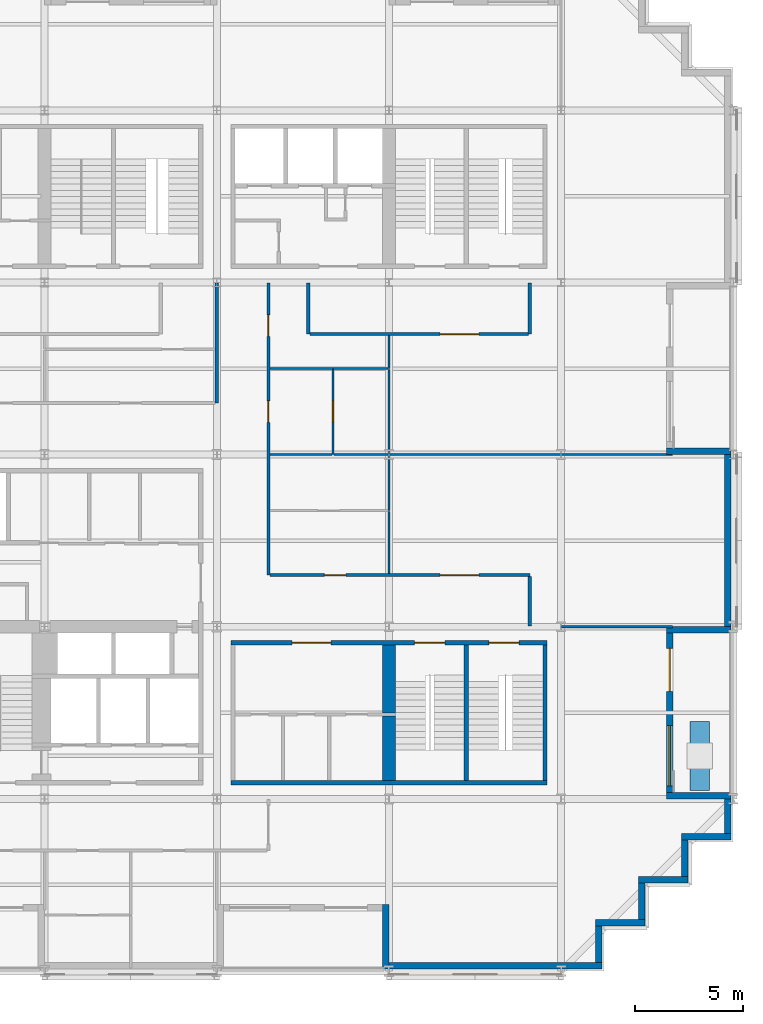
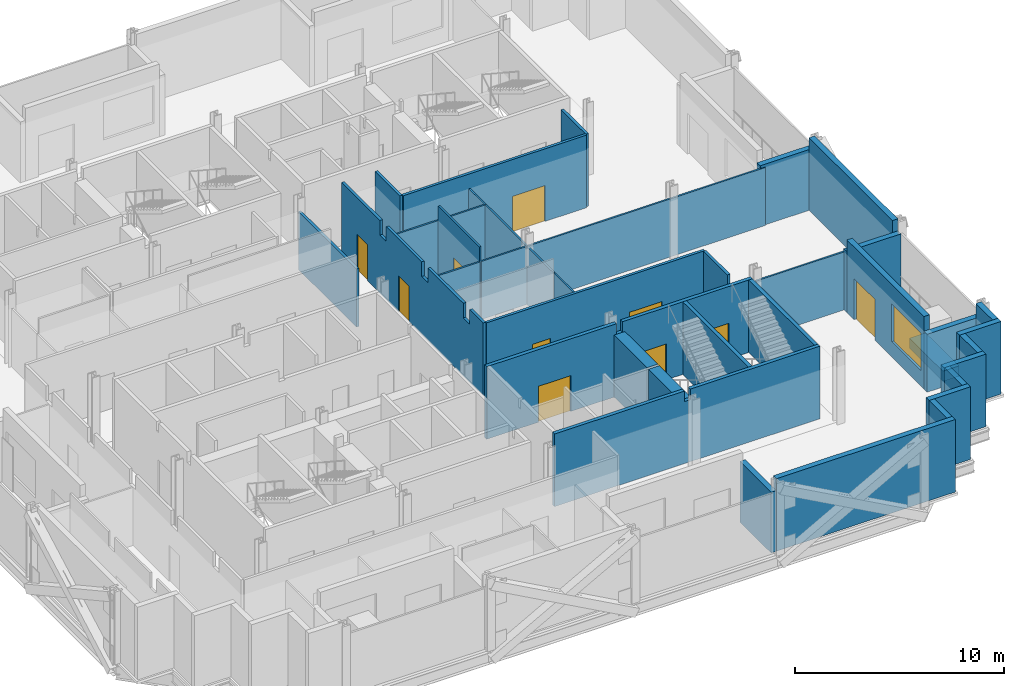
# One storey, part 7 of 13: 39 walls, 10 doors, 1 window, 11 openings.
"""IFC4 building model written with IfcOpenShell, lengths in metres."""

from ifc_helpers import new_model, si_unit, direction, frame, frame_2d, origin, place, context, subcontext, project, spatial, polyline, rectangle, outline, extrude, material, layer, layer_set, type_object, element, fill, save


model = new_model("IFC4")

# Units and contexts
model_context = context("Model", 3, precision=1e-05, world=origin(), true_north=direction((0.0, 1.0)))
body_context = subcontext(model_context, "Body", "Model", "MODEL_VIEW")
ifc_project = project(units=[si_unit("LENGTHUNIT", "METRE"), si_unit("AREAUNIT", "SQUARE_METRE"), si_unit("VOLUMEUNIT", "CUBIC_METRE"), si_unit("PLANEANGLEUNIT", "RADIAN"), si_unit("MASSUNIT", "GRAM", prefix="KILO")], contexts=[model_context])

# Site, building, storey
site_placement = place(None, origin())
site = spatial("IfcSite", under=ifc_project, at=site_placement, CompositionType="ELEMENT")
building_placement = place(site_placement, origin())
building = spatial("IfcBuilding", under=site, at=building_placement, Name="Immortelle Media Tower", CompositionType="ELEMENT")
storey_placement = place(building_placement, frame((0.0, 0.0, 34.800048828125)))
storey = spatial("IfcBuildingStorey", under=building, at=storey_placement, Name="L04", CompositionType="ELEMENT", Elevation=34.800048828125)

# Wall
ifc_material_1 = material(Name="Fire-rated gypsum board", Category="gypsum")
ifc_layer_1 = layer(ifc_material_1, 0.012451171875)
ifc_material_2 = material(Name="Steel ASTM A653 SS Gr 50 stud frame with mineral wool", Category="steel")
ifc_layer_2 = layer(ifc_material_2, 0.125)
ifc_layer_3 = layer(ifc_material_1, 0.012451171875)
ifc_layer_set_1 = layer_set([ifc_layer_1, ifc_layer_2, ifc_layer_3], Name="Steel ASTM A653 SS Gr 50 stud frame with mineral wool")
wall_type_1 = type_object("IfcWallType", Name="Corridor wall 150", PredefinedType="PARTITIONING", material=ifc_layer_set_1)
wall_1_placement = place(storey_placement, frame((38.550048828125, 16.030029296875, 0.0), z_axis=(0.0, 0.0, 1.0), x_axis=(0.0, 1.0, 0.0)))
element("IfcWall", 1, at=wall_1_placement, inside=storey, type_object=wall_type_1, Name="Partition L04-014", PredefinedType="PARTITIONING", context=body_context, shape_type="SweptSolid", body=[
    extrude(rectangle(XDim=2.294921875, YDim=0.14990234375, at=frame_2d((1.1474609375, 0.0))), origin(), (0.0, 0.0, 1.0), 4.25),
])

# Wall, openings, doors
wall_2_placement = place(storey_placement, frame((26.47509765625, 18.39990234375, 0.0), z_axis=(0.0, 0.0, 1.0), x_axis=(1.0, 0.0, 0.0)))
wall_2 = element("IfcWall", 2, at=wall_2_placement, inside=storey, type_object=wall_type_1, Name="Partition L04-015", PredefinedType="PARTITIONING", context=body_context, shape_type="SweptSolid", body=[
    extrude(rectangle(XDim=12.074951171875, YDim=0.14990234375, at=frame_2d((6.03759765625, 0.0))), origin(), (0.0, 0.0, 1.0), 4.25),
])
opening_1_placement = place(wall_2_placement, frame((7.89990234375, 0.0, 0.0)))
opening_1 = element("IfcOpeningElement", 3, at=opening_1_placement, cuts=wall_2, Name="Opening N1-F010", PredefinedType="OPENING", context=body_context, shape_type="SweptSolid", body=[
    extrude(rectangle(XDim=1.800048828125, YDim=2.10009765625, at=frame_2d((0.89990234375, 1.050048828125))), frame((0.0, 0.0849609375, 0.0), z_axis=(0.0, -1.0, 0.0), x_axis=(1.0, 0.0, 0.0)), (0.0, 0.0, 1.0), 0.169921875),
])
opening_2_placement = place(wall_2_placement, frame((2.52490234375, 0.0, 0.0)))
opening_2 = element("IfcOpeningElement", 4, at=opening_2_placement, cuts=wall_2, Name="Opening N1-F011", PredefinedType="OPENING", context=body_context, shape_type="SweptSolid", body=[
    extrude(rectangle(XDim=1.0, YDim=2.10009765625, at=frame_2d((0.5, 1.050048828125))), frame((0.0, 0.0849609375, 0.0), z_axis=(0.0, -1.0, 0.0), x_axis=(1.0, 0.0, 0.0)), (0.0, 0.0, 1.0), 0.169921875),
])
ifc_material_3 = material(Name="Timber veneered door leaf, galvanised steel frame ASTM A653", Category="steel")
door_type_1 = type_object("IfcDoorType", Name="Room door 1000 x 2100", OperationType="NOTDEFINED", PredefinedType="DOOR", material=ifc_material_3)
door_1_placement = place(opening_2_placement, origin())
door_1 = element("IfcDoor", 5, at=door_1_placement, inside=storey, type_object=door_type_1, Name="Door N1-F011", OperationType="SINGLE_SWING_RIGHT", OverallHeight=2.10009765625, OverallWidth=1.0, PredefinedType="DOOR", context=body_context, shape_type="SweptSolid", body=[
    extrude(rectangle(XDim=1.0, YDim=2.10009765625, at=frame_2d((0.5, 1.050048828125))), frame((0.0, 0.02490234375, 0.0), z_axis=(0.0, -1.0, 0.0), x_axis=(1.0, 0.0, 0.0)), (0.0, 0.0, 1.0), 0.050048828125),
])
fill(opening_2, door_1)
door_type_2 = type_object("IfcDoorType", Name="Room door 1800 x 2100", OperationType="DOUBLE_DOOR_SINGLE_SWING", PredefinedType="DOOR", material=ifc_material_3)
door_2_placement = place(opening_1_placement, origin())
door_2 = element("IfcDoor", 6, at=door_2_placement, inside=storey, type_object=door_type_2, Name="Door N1-F010", OperationType="DOUBLE_DOOR_SINGLE_SWING", OverallHeight=2.10009765625, OverallWidth=1.800048828125, PredefinedType="DOOR", context=body_context, shape_type="SweptSolid", body=[
    extrude(rectangle(XDim=1.800048828125, YDim=2.10009765625, at=frame_2d((0.89990234375, 1.050048828125))), frame((0.0, 0.02490234375, 0.0), z_axis=(0.0, -1.0, 0.0), x_axis=(1.0, 0.0, 0.0)), (0.0, 0.0, 1.0), 0.050048828125),
])
fill(opening_1, door_2)

wall_3_placement = place(storey_placement, frame((26.39990234375, 18.39990234375, 0.0), z_axis=(0.0, 0.0, 1.0), x_axis=(0.0, 1.0, 0.0)))
wall_3 = element("IfcWall", 7, at=wall_3_placement, inside=storey, type_object=wall_type_1, Name="Partition L04-016", PredefinedType="PARTITIONING", context=body_context, shape_type="SweptSolid", body=[
    extrude(outline(polyline([(0.0, 0.0), (13.570068359375, 0.0), (13.570068359375, 4.25), (9.89990234375, 4.25), (9.89794921875, 3.390869140625), (9.302001953125, 3.390869140625), (9.300048828125, 4.25), (5.89990234375, 4.25), (5.89794921875, 3.390869140625), (5.302001953125, 3.390869140625), (5.300048828125, 4.25), (1.89990234375, 4.25), (1.89794921875, 3.390869140625), (1.302001953125, 3.390869140625), (1.300048828125, 4.25), (0.0, 4.25), (0.0, 0.0)])), frame((0.0, 0.074951171875, 0.0), z_axis=(0.0, -1.0, 0.0), x_axis=(1.0, 0.0, 0.0)), (0.0, 0.0, 1.0), 0.14990234375),
])
opening_3_placement = place(wall_3_placement, frame((8.10009765625, 0.0, 0.0), z_axis=(0.0, 0.0, 1.0), x_axis=(-1.0, 0.0, 0.0)))
opening_3 = element("IfcOpeningElement", 8, at=opening_3_placement, cuts=wall_3, Name="Opening N1-F013", PredefinedType="OPENING", context=body_context, shape_type="SweptSolid", body=[
    extrude(rectangle(XDim=1.0, YDim=2.10009765625, at=frame_2d((0.5, 1.050048828125))), frame((0.0, 0.0849609375, 0.0), z_axis=(0.0, -1.0, 0.0), x_axis=(1.0, 0.0, 0.0)), (0.0, 0.0, 1.0), 0.169921875),
])
opening_4_placement = place(wall_3_placement, frame((12.10009765625, 0.0, 0.0), z_axis=(0.0, 0.0, 1.0), x_axis=(-1.0, 0.0, 0.0)))
opening_4 = element("IfcOpeningElement", 9, at=opening_4_placement, cuts=wall_3, Name="Opening N1-F015", PredefinedType="OPENING", context=body_context, shape_type="SweptSolid", body=[
    extrude(rectangle(XDim=1.0, YDim=2.10009765625, at=frame_2d((0.5, 1.050048828125))), frame((0.0, 0.0849609375, 0.0), z_axis=(0.0, -1.0, 0.0), x_axis=(1.0, 0.0, 0.0)), (0.0, 0.0, 1.0), 0.169921875),
])
door_3_placement = place(opening_3_placement, origin())
door_3 = element("IfcDoor", 10, at=door_3_placement, inside=storey, type_object=door_type_1, Name="Door N1-F013", OperationType="SINGLE_SWING_RIGHT", OverallHeight=2.10009765625, OverallWidth=1.0, PredefinedType="DOOR", context=body_context, shape_type="SweptSolid", body=[
    extrude(rectangle(XDim=1.0, YDim=2.10009765625, at=frame_2d((0.5, 1.050048828125))), frame((0.0, 0.02490234375, 0.0), z_axis=(0.0, -1.0, 0.0), x_axis=(1.0, 0.0, 0.0)), (0.0, 0.0, 1.0), 0.050048828125),
])
fill(opening_3, door_3)
door_4_placement = place(opening_4_placement, origin())
door_4 = element("IfcDoor", 11, at=door_4_placement, inside=storey, type_object=door_type_1, Name="Door N1-F015", OperationType="SINGLE_SWING_RIGHT", OverallHeight=2.10009765625, OverallWidth=1.0, PredefinedType="DOOR", context=body_context, shape_type="SweptSolid", body=[
    extrude(rectangle(XDim=1.0, YDim=2.10009765625, at=frame_2d((0.5, 1.050048828125))), frame((0.0, 0.02490234375, 0.0), z_axis=(0.0, -1.0, 0.0), x_axis=(1.0, 0.0, 0.0)), (0.0, 0.0, 1.0), 0.050048828125),
])
fill(opening_4, door_4)

# Wall
wall_4_placement = place(storey_placement, frame((24.0, 26.39990234375, 0.0), z_axis=(0.0, 0.0, 1.0), x_axis=(0.0, 1.0, 0.0)))
element("IfcWall", 12, at=wall_4_placement, inside=storey, type_object=wall_type_1, Name="Partition L04-030", PredefinedType="PARTITIONING", context=body_context, shape_type="SweptSolid", body=[
    extrude(rectangle(XDim=5.570068359375, YDim=0.14990234375, at=frame_2d((2.78515625, 0.0))), origin(), (0.0, 0.0, 1.0), 3.390869140625),
])

# Wall, opening, door
wall_5_placement = place(storey_placement, frame((28.324951171875, 29.60009765625, 0.0), z_axis=(0.0, 0.0, 1.0), x_axis=(1.0, 0.0, 0.0)))
wall_5 = element("IfcWall", 13, at=wall_5_placement, inside=storey, type_object=wall_type_1, Name="Partition L04-042", PredefinedType="PARTITIONING", context=body_context, shape_type="SweptSolid", body=[
    extrude(rectangle(XDim=10.150146484375, YDim=0.14990234375, at=frame_2d((5.0751953125, 0.0))), origin(), (0.0, 0.0, 1.0), 4.25),
])
opening_5_placement = place(wall_5_placement, frame((6.050048828125, 0.0, 0.0)))
opening_5 = element("IfcOpeningElement", 14, at=opening_5_placement, cuts=wall_5, Name="Opening N1-F021", PredefinedType="OPENING", context=body_context, shape_type="SweptSolid", body=[
    extrude(rectangle(XDim=1.800048828125, YDim=2.10009765625, at=frame_2d((0.89990234375, 1.050048828125))), frame((0.0, 0.0849609375, 0.0), z_axis=(0.0, -1.0, 0.0), x_axis=(1.0, 0.0, 0.0)), (0.0, 0.0, 1.0), 0.169921875),
])
door_5_placement = place(opening_5_placement, origin())
door_5 = element("IfcDoor", 15, at=door_5_placement, inside=storey, type_object=door_type_2, Name="Door N1-F021", OperationType="DOUBLE_DOOR_SINGLE_SWING", OverallHeight=2.10009765625, OverallWidth=1.800048828125, PredefinedType="DOOR", context=body_context, shape_type="SweptSolid", body=[
    extrude(rectangle(XDim=1.800048828125, YDim=2.10009765625, at=frame_2d((0.89990234375, 1.050048828125))), frame((0.0, 0.02490234375, 0.0), z_axis=(0.0, -1.0, 0.0), x_axis=(1.0, 0.0, 0.0)), (0.0, 0.0, 1.0), 0.050048828125),
])
fill(opening_5, door_5)

# Walls
for number, where, z_axis, x_axis, name in (
    (16, (28.25, 29.60009765625, 0.0), (0.0, 0.0, 1.0), (0.0, 1.0, 0.0), "Partition L04-043"),
    (17, (38.550048828125, 29.60009765625, 0.0), (0.0, 0.0, 1.0), (0.0, 1.0, 0.0), "Partition L04-044"),
):
    element("IfcWall", number, at=place(storey_placement, frame(where, z_axis=z_axis, x_axis=x_axis)), inside=storey, type_object=wall_type_1, Name=name, PredefinedType="PARTITIONING", context=body_context, shape_type="SweptSolid", body=[
        extrude(rectangle(XDim=2.369873046875, YDim=0.14990234375, at=frame_2d((1.18505859375, 0.0))), origin(), (0.0, 0.0, 1.0), 4.25),
    ])
ifc_material_4 = material(Name="Pale aluminium cladding panel", Category="aluminium")
ifc_layer_4 = layer(ifc_material_4, 0.030029296875)
ifc_layer_5 = layer(ifc_material_2, 0.257568359375)
ifc_material_5 = material(Name="Moisture-resistant gypsum board", Category="gypsum")
ifc_layer_6 = layer(ifc_material_5, 0.012451171875)
ifc_layer_set_2 = layer_set([ifc_layer_4, ifc_layer_5, ifc_layer_6], Name="Steel ASTM A653 SS Gr 50 stud frame with mineral wool")
wall_type_2 = type_object("IfcWallType", Name="Facade wall 300", PredefinedType="SOLIDWALL", material=ifc_layer_set_2)
wall_6_placement = place(storey_placement, frame((31.85009765625, 0.10009765625, 0.0), z_axis=(0.0, 0.0, 1.0), x_axis=(0.0, 1.0, 0.0)))
element("IfcWall", 18, at=wall_6_placement, inside=storey, type_object=wall_type_2, Name="Loggia cheek wall L04 S", PredefinedType="SOLIDWALL", context=body_context, shape_type="SweptSolid", body=[
    extrude(rectangle(XDim=3.0, YDim=0.300048828125, at=frame_2d((1.5, 0.0))), origin(), (0.0, 0.0, 1.0), 3.552978515625),
])
wall_7_placement = place(storey_placement, frame((32.0, 0.25, 0.0), z_axis=(0.0, 0.0, 1.0), x_axis=(1.0, 0.0, 0.0)))
element("IfcWall", 19, at=wall_7_placement, inside=storey, type_object=wall_type_2, Name="Facade wall L04 S7", PredefinedType="SOLIDWALL", context=body_context, shape_type="SweptSolid", body=[
    extrude(rectangle(XDim=9.89990234375, YDim=0.300048828125, at=frame_2d((4.949951171875, 0.0))), origin(), (0.0, 0.0, 1.0), 4.25),
])
wall_8_placement = place(storey_placement, frame((41.75, 0.39990234375, 0.0), z_axis=(0.0, 0.0, 1.0), x_axis=(0.0, 1.0, 0.0)))
element("IfcWall", 20, at=wall_8_placement, inside=storey, type_object=wall_type_2, Name="Facade wall L04 E8", PredefinedType="SOLIDWALL", context=body_context, shape_type="SweptSolid", body=[
    extrude(rectangle(XDim=1.7001953125, YDim=0.300048828125, at=frame_2d((0.85009765625, 0.0))), origin(), (0.0, 0.0, 1.0), 4.25),
])
wall_9_placement = place(storey_placement, frame((41.60009765625, 2.25, 0.0), z_axis=(0.0, 0.0, 1.0), x_axis=(1.0, 0.0, 0.0)))
element("IfcWall", 21, at=wall_9_placement, inside=storey, type_object=wall_type_2, Name="Facade wall L04 S9", PredefinedType="SOLIDWALL", context=body_context, shape_type="SweptSolid", body=[
    extrude(rectangle(XDim=2.2998046875, YDim=0.300048828125, at=frame_2d((1.14990234375, 0.0))), origin(), (0.0, 0.0, 1.0), 4.25),
])
wall_10_placement = place(storey_placement, frame((43.75, 2.39990234375, 0.0), z_axis=(0.0, 0.0, 1.0), x_axis=(0.0, 1.0, 0.0)))
element("IfcWall", 22, at=wall_10_placement, inside=storey, type_object=wall_type_2, Name="Facade wall L04 E10", PredefinedType="SOLIDWALL", context=body_context, shape_type="SweptSolid", body=[
    extrude(rectangle(XDim=1.7001953125, YDim=0.300048828125, at=frame_2d((0.85009765625, 0.0))), origin(), (0.0, 0.0, 1.0), 4.25),
])
wall_11_placement = place(storey_placement, frame((43.60009765625, 4.25, 0.0), z_axis=(0.0, 0.0, 1.0), x_axis=(1.0, 0.0, 0.0)))
element("IfcWall", 23, at=wall_11_placement, inside=storey, type_object=wall_type_2, Name="Facade wall L04 S11", PredefinedType="SOLIDWALL", context=body_context, shape_type="SweptSolid", body=[
    extrude(rectangle(XDim=2.2998046875, YDim=0.300048828125, at=frame_2d((1.14990234375, 0.0))), origin(), (0.0, 0.0, 1.0), 4.25),
])
wall_12_placement = place(storey_placement, frame((45.75, 4.39990234375, 0.0), z_axis=(0.0, 0.0, 1.0), x_axis=(0.0, 1.0, 0.0)))
element("IfcWall", 24, at=wall_12_placement, inside=storey, type_object=wall_type_2, Name="Facade wall L04 E12", PredefinedType="SOLIDWALL", context=body_context, shape_type="SweptSolid", body=[
    extrude(rectangle(XDim=1.7001953125, YDim=0.300048828125, at=frame_2d((0.85009765625, 0.0))), origin(), (0.0, 0.0, 1.0), 4.25),
])
wall_13_placement = place(storey_placement, frame((45.60009765625, 6.25, 0.0), z_axis=(0.0, 0.0, 1.0), x_axis=(1.0, 0.0, 0.0)))
element("IfcWall", 25, at=wall_13_placement, inside=storey, type_object=wall_type_2, Name="Facade wall L04 S13", PredefinedType="SOLIDWALL", context=body_context, shape_type="SweptSolid", body=[
    extrude(rectangle(XDim=2.2998046875, YDim=0.300048828125, at=frame_2d((1.14990234375, 0.0))), origin(), (0.0, 0.0, 1.0), 4.25),
])
wall_14_placement = place(storey_placement, frame((47.75, 6.39990234375, 0.0), z_axis=(0.0, 0.0, 1.0), x_axis=(0.0, 1.0, 0.0)))
element("IfcWall", 26, at=wall_14_placement, inside=storey, type_object=wall_type_2, Name="Facade wall L04 E14", PredefinedType="SOLIDWALL", context=body_context, shape_type="SweptSolid", body=[
    extrude(rectangle(XDim=1.60009765625, YDim=0.300048828125, at=frame_2d((0.800048828125, 0.0))), origin(), (0.0, 0.0, 1.0), 4.25),
])

# Wall, openings, door, window
wall_15_placement = place(storey_placement, frame((45.050048828125, 8.300048828125, 0.0), z_axis=(0.0, 0.0, 1.0), x_axis=(0.0, 1.0, 0.0)))
wall_15 = element("IfcWall", 27, at=wall_15_placement, inside=storey, type_object=wall_type_2, Name="Loggia wall L04 E14", PredefinedType="SOLIDWALL", context=body_context, shape_type="SweptSolid", body=[
    extrude(rectangle(XDim=7.39990234375, YDim=0.300048828125, at=frame_2d((3.699951171875, 0.0))), origin(), (0.0, 0.0, 1.0), 4.25),
])
opening_6_placement = place(wall_15_placement, frame((0.300048828125, 0.0, 0.89990234375)))
opening_6 = element("IfcOpeningElement", 28, at=opening_6_placement, cuts=wall_15, Name="Opening W1", PredefinedType="OPENING", context=body_context, shape_type="SweptSolid", body=[
    extrude(rectangle(XDim=2.800048828125, YDim=2.199951171875, at=frame_2d((1.39990234375, 1.10009765625))), frame((0.0, 0.159912109375, 0.0), z_axis=(0.0, -1.0, 0.0), x_axis=(1.0, 0.0, 0.0)), (0.0, 0.0, 1.0), 0.320068359375),
])
opening_7_placement = place(wall_15_placement, frame((4.699951171875, 0.0, 0.0)))
opening_7 = element("IfcOpeningElement", 29, at=opening_7_placement, cuts=wall_15, Name="Opening N1-E005", PredefinedType="OPENING", context=body_context, shape_type="SweptSolid", body=[
    extrude(rectangle(XDim=2.0, YDim=2.39990234375, at=frame_2d((1.0, 1.199951171875))), frame((0.0, 0.159912109375, 0.0), z_axis=(0.0, -1.0, 0.0), x_axis=(1.0, 0.0, 0.0)), (0.0, 0.0, 1.0), 0.320068359375),
])
ifc_material_6 = material(Name="Aluminium frame, glazed leaves", Category="aluminium")
door_type_3 = type_object("IfcDoorType", Name="Loggia door 2000 x 2400", OperationType="DOUBLE_DOOR_SINGLE_SWING", PredefinedType="DOOR", material=ifc_material_6)
door_6_placement = place(opening_7_placement, origin())
door_6 = element("IfcDoor", 30, at=door_6_placement, inside=storey, type_object=door_type_3, Name="Door N1-E005", OperationType="DOUBLE_DOOR_SINGLE_SWING", OverallHeight=2.39990234375, OverallWidth=2.0, PredefinedType="DOOR", context=body_context, shape_type="SweptSolid", body=[
    extrude(rectangle(XDim=2.0, YDim=2.39990234375, at=frame_2d((1.0, 1.199951171875))), frame((0.0, 0.02490234375, 0.0), z_axis=(0.0, -1.0, 0.0), x_axis=(1.0, 0.0, 0.0)), (0.0, 0.0, 1.0), 0.050048828125),
])
fill(opening_7, door_6)
ifc_material_7 = material(Name="Aluminium frame", Category="aluminium")
window_type = type_object("IfcWindowType", Name="Window 2800 x 2200", PartitioningType="SINGLE_PANEL", PredefinedType="WINDOW", material=ifc_material_7)
window_placement = place(opening_6_placement, origin())
window = element("IfcWindow", 31, at=window_placement, inside=storey, type_object=window_type, Name="Window L04 L04-R14-B0", OverallHeight=2.199951171875, OverallWidth=2.800048828125, PartitioningType="SINGLE_PANEL", PredefinedType="WINDOW", context=body_context, shape_type="SweptSolid", body=[
    extrude(rectangle(XDim=2.800048828125, YDim=2.199951171875, at=frame_2d((1.39990234375, 1.10009765625))), frame((0.0, 0.030029296875, 0.0), z_axis=(0.0, -1.0, 0.0), x_axis=(1.0, 0.0, 0.0)), (0.0, 0.0, 1.0), 0.06005859375),
])
fill(opening_6, window)

# Walls
wall_16_placement = place(storey_placement, frame((47.89990234375, 8.14990234375, 0.0), z_axis=(0.0, 0.0, 1.0), x_axis=(-1.0, 0.0, 0.0)))
element("IfcWall", 32, at=wall_16_placement, inside=storey, type_object=wall_type_2, Name="Loggia cheek wall L04 E", PredefinedType="SOLIDWALL", context=body_context, shape_type="SweptSolid", body=[
    extrude(rectangle(XDim=3.0, YDim=0.300048828125, at=frame_2d((1.5, 0.0))), origin(), (0.0, 0.0, 1.0), 3.389892578125),
])
wall_17_placement = place(storey_placement, frame((47.89990234375, 15.85009765625, 0.0), z_axis=(0.0, 0.0, 1.0), x_axis=(-1.0, 0.0, 0.0)))
element("IfcWall", 33, at=wall_17_placement, inside=storey, type_object=wall_type_2, Name="Loggia cheek wall L04 E", PredefinedType="SOLIDWALL", context=body_context, shape_type="SweptSolid", body=[
    extrude(rectangle(XDim=3.0, YDim=0.300048828125, at=frame_2d((1.5, 0.0))), origin(), (0.0, 0.0, 1.0), 3.552978515625),
])
wall_18_placement = place(storey_placement, frame((47.75, 16.0, 0.0), z_axis=(0.0, 0.0, 1.0), x_axis=(0.0, 1.0, 0.0)))
element("IfcWall", 34, at=wall_18_placement, inside=storey, type_object=wall_type_2, Name="Facade wall L04 E14", PredefinedType="SOLIDWALL", context=body_context, shape_type="SweptSolid", body=[
    extrude(rectangle(XDim=8.0, YDim=0.300048828125, at=frame_2d((4.0, 0.0))), origin(), (0.0, 0.0, 1.0), 4.25),
])
wall_19_placement = place(storey_placement, frame((47.89990234375, 24.14990234375, 0.0), z_axis=(0.0, 0.0, 1.0), x_axis=(-1.0, 0.0, 0.0)))
element("IfcWall", 35, at=wall_19_placement, inside=storey, type_object=wall_type_2, Name="Loggia cheek wall L04 E", PredefinedType="SOLIDWALL", context=body_context, shape_type="SweptSolid", body=[
    extrude(rectangle(XDim=3.0, YDim=0.300048828125, at=frame_2d((1.5, 0.0))), origin(), (0.0, 0.0, 1.0), 3.552978515625),
])
ifc_material_8 = material(Name="Gypsum board", Category="gypsum")
ifc_layer_7 = layer(ifc_material_8, 0.012451171875)
ifc_layer_8 = layer(ifc_material_2, 0.074951171875)
ifc_layer_9 = layer(ifc_material_8, 0.012451171875)
ifc_layer_set_3 = layer_set([ifc_layer_7, ifc_layer_8, ifc_layer_9], Name="Steel ASTM A653 SS Gr 50 stud frame with mineral wool")
wall_type_3 = type_object("IfcWallType", Name="Partition 100", PredefinedType="PARTITIONING", material=ifc_layer_set_3)
wall_20_placement = place(storey_placement, frame((40.030029296875, 16.0, 0.0), z_axis=(0.0, 0.0, 1.0), x_axis=(1.0, 0.0, 0.0)))
element("IfcWall", 36, at=wall_20_placement, inside=storey, type_object=wall_type_3, Name="Partition L04-013", PredefinedType="PARTITIONING", context=body_context, shape_type="SweptSolid", body=[
    extrude(rectangle(XDim=5.139892578125, YDim=0.10009765625, at=frame_2d((2.56982421875, 0.0))), origin(), (0.0, 0.0, 1.0), 3.390869140625),
])
wall_21_placement = place(storey_placement, frame((32.0, 18.47509765625, 0.0), z_axis=(0.0, 0.0, 1.0), x_axis=(0.0, 1.0, 0.0)))
element("IfcWall", 37, at=wall_21_placement, inside=storey, type_object=wall_type_3, Name="Partition L04-017", PredefinedType="PARTITIONING", context=body_context, shape_type="SweptSolid", body=[
    extrude(rectangle(XDim=2.875, YDim=0.10009765625, at=frame_2d((1.4375, 0.0))), origin(), (0.0, 0.0, 1.0), 3.390869140625),
])
wall_22_placement = place(storey_placement, frame((32.0, 21.39990234375, 0.0), z_axis=(0.0, 0.0, 1.0), x_axis=(0.0, 1.0, 0.0)))
element("IfcWall", 38, at=wall_22_placement, inside=storey, type_object=wall_type_3, Name="Partition L04-019", PredefinedType="PARTITIONING", context=body_context, shape_type="SweptSolid", body=[
    extrude(rectangle(XDim=2.550048828125, YDim=0.10009765625, at=frame_2d((1.27490234375, 0.0))), origin(), (0.0, 0.0, 1.0), 3.390869140625),
])
wall_23_placement = place(storey_placement, frame((26.47509765625, 24.0, 0.0), z_axis=(0.0, 0.0, 1.0), x_axis=(1.0, 0.0, 0.0)))
element("IfcWall", 39, at=wall_23_placement, inside=storey, type_object=wall_type_3, Name="Partition L04-021", PredefinedType="PARTITIONING", context=body_context, shape_type="SweptSolid", body=[
    extrude(rectangle(XDim=2.875, YDim=0.10009765625, at=frame_2d((1.4375, 0.0))), origin(), (0.0, 0.0, 1.0), 3.390869140625),
])
wall_24_placement = place(storey_placement, frame((29.449951171875, 24.0, 0.0), z_axis=(0.0, 0.0, 1.0), x_axis=(1.0, 0.0, 0.0)))
element("IfcWall", 40, at=wall_24_placement, inside=storey, type_object=wall_type_3, Name="Partition L04-022", PredefinedType="PARTITIONING", context=body_context, shape_type="SweptSolid", body=[
    extrude(rectangle(XDim=2.5, YDim=0.10009765625, at=frame_2d((1.25, 0.0))), origin(), (0.0, 0.0, 1.0), 3.390869140625),
])

# Wall, opening, door
wall_25_placement = place(storey_placement, frame((29.39990234375, 24.0, 0.0), z_axis=(0.0, 0.0, 1.0), x_axis=(0.0, 1.0, 0.0)))
wall_25 = element("IfcWall", 41, at=wall_25_placement, inside=storey, type_object=wall_type_3, Name="Partition L04-023", PredefinedType="PARTITIONING", context=body_context, shape_type="SweptSolid", body=[
    extrude(rectangle(XDim=3.949951171875, YDim=0.10009765625, at=frame_2d((1.97509765625, 0.0))), origin(), (0.0, 0.0, 1.0), 4.25),
])
opening_8_placement = place(wall_25_placement, frame((1.5, 0.0, 0.0)))
opening_8 = element("IfcOpeningElement", 42, at=opening_8_placement, cuts=wall_25, Name="Opening N1-F014", PredefinedType="OPENING", context=body_context, shape_type="SweptSolid", body=[
    extrude(rectangle(XDim=1.0, YDim=2.10009765625, at=frame_2d((0.5, 1.050048828125))), frame((0.0, 0.06005859375, 0.0), z_axis=(0.0, -1.0, 0.0), x_axis=(1.0, 0.0, 0.0)), (0.0, 0.0, 1.0), 0.1201171875),
])
door_7_placement = place(opening_8_placement, origin())
door_7 = element("IfcDoor", 43, at=door_7_placement, inside=storey, type_object=door_type_1, Name="Door N1-F014", OperationType="SINGLE_SWING_RIGHT", OverallHeight=2.10009765625, OverallWidth=1.0, PredefinedType="DOOR", context=body_context, shape_type="SweptSolid", body=[
    extrude(rectangle(XDim=1.0, YDim=2.10009765625, at=frame_2d((0.5, 1.050048828125))), frame((0.0, 0.02490234375, 0.0), z_axis=(0.0, -1.0, 0.0), x_axis=(1.0, 0.0, 0.0)), (0.0, 0.0, 1.0), 0.050048828125),
])
fill(opening_8, door_7)

# Walls
wall_26_placement = place(storey_placement, frame((32.050048828125, 24.0, 0.0), z_axis=(0.0, 0.0, 1.0), x_axis=(1.0, 0.0, 0.0)))
element("IfcWall", 44, at=wall_26_placement, inside=storey, type_object=wall_type_3, Name="Partition L04-024", PredefinedType="PARTITIONING", context=body_context, shape_type="SweptSolid", body=[
    extrude(rectangle(XDim=13.119873046875, YDim=0.10009765625, at=frame_2d((6.56005859375, 0.0))), origin(), (0.0, 0.0, 1.0), 3.390869140625),
])
wall_27_placement = place(storey_placement, frame((32.0, 24.0, 0.0), z_axis=(0.0, 0.0, 1.0), x_axis=(0.0, 1.0, 0.0)))
element("IfcWall", 45, at=wall_27_placement, inside=storey, type_object=wall_type_3, Name="Partition L04-025", PredefinedType="PARTITIONING", context=body_context, shape_type="SweptSolid", body=[
    extrude(rectangle(XDim=3.949951171875, YDim=0.10009765625, at=frame_2d((1.97509765625, 0.0))), origin(), (0.0, 0.0, 1.0), 3.390869140625),
])
wall_28_placement = place(storey_placement, frame((26.47509765625, 28.0, 0.0), z_axis=(0.0, 0.0, 1.0), x_axis=(1.0, 0.0, 0.0)))
element("IfcWall", 46, at=wall_28_placement, inside=storey, type_object=wall_type_3, Name="Partition L04-031", PredefinedType="PARTITIONING", context=body_context, shape_type="SweptSolid", body=[
    extrude(rectangle(XDim=2.9248046875, YDim=0.10009765625, at=frame_2d((1.46240234375, 0.0))), origin(), (0.0, 0.0, 1.0), 3.390869140625),
])
wall_29_placement = place(storey_placement, frame((29.39990234375, 28.0, 0.0), z_axis=(0.0, 0.0, 1.0), x_axis=(1.0, 0.0, 0.0)))
element("IfcWall", 47, at=wall_29_placement, inside=storey, type_object=wall_type_3, Name="Partition L04-032", PredefinedType="PARTITIONING", context=body_context, shape_type="SweptSolid", body=[
    extrude(rectangle(XDim=2.550048828125, YDim=0.10009765625, at=frame_2d((1.27490234375, 0.0))), origin(), (0.0, 0.0, 1.0), 3.390869140625),
])
wall_30_placement = place(storey_placement, frame((32.0, 28.0, 0.0), z_axis=(0.0, 0.0, 1.0), x_axis=(0.0, 1.0, 0.0)))
element("IfcWall", 48, at=wall_30_placement, inside=storey, type_object=wall_type_3, Name="Partition L04-033", PredefinedType="PARTITIONING", context=body_context, shape_type="SweptSolid", body=[
    extrude(rectangle(XDim=1.52490234375, YDim=0.10009765625, at=frame_2d((0.762451171875, 0.0))), origin(), (0.0, 0.0, 1.0), 3.390869140625),
])
ifc_layer_10 = layer(ifc_material_4, 0.0029296875)
ifc_material_9 = material(Name="Steel ASTM A572 Gr 50 planter shell", Category="steel")
ifc_layer_11 = layer(ifc_material_9, 0.011962890625)
ifc_material_10 = material(Name="Planting substrate", Category="soil")
ifc_layer_12 = layer(ifc_material_10, 0.873046875)
ifc_layer_13 = layer(ifc_material_9, 0.011962890625)
ifc_layer_set_4 = layer_set([ifc_layer_10, ifc_layer_11, ifc_layer_12, ifc_layer_13], Name="Steel ASTM A572 Gr 50 planter shell")
wall_type_4 = type_object("IfcWallType", Name="Planter wall 900", PredefinedType="SOLIDWALL", material=ifc_layer_set_4)
wall_31_placement = place(storey_placement, frame((46.449951171875, 8.39990234375, 0.0), z_axis=(0.0, 0.0, 1.0), x_axis=(0.0, 1.0, 0.0)))
element("IfcWall", 49, at=wall_31_placement, inside=storey, type_object=wall_type_4, Name="Planter L04 E0", PredefinedType="SOLIDWALL", context=body_context, shape_type="SweptSolid", body=[
    extrude(rectangle(XDim=3.2001953125, YDim=0.89990234375, at=frame_2d((1.60009765625, 0.0))), origin(), (0.0, 0.0, 1.0), 0.599853515625),
])
ifc_material_11 = material(Name="Concrete C60", Category="concrete")
ifc_layer_14 = layer(ifc_material_11, 0.199951171875)
ifc_layer_set_5 = layer_set([ifc_layer_14], Name="Concrete C60")
wall_type_5 = type_object("IfcWallType", Name="Stair shaft wall 200", PredefinedType="PARTITIONING", material=ifc_layer_set_5)
wall_32_placement = place(storey_placement, frame((24.64990234375, 8.75, 0.0), z_axis=(0.0, 0.0, 1.0), x_axis=(1.0, 0.0, 0.0)))
element("IfcWall", 50, at=wall_32_placement, inside=storey, type_object=wall_type_5, Name="Stair shaft wall SE", PredefinedType="PARTITIONING", context=body_context, shape_type="SweptSolid", body=[
    extrude(outline(polyline([(0.0, 0.0), (14.7001953125, 0.0), (14.699951171875, 4.25), (7.51708984375, 4.25), (7.51611328125, 3.6318359375), (7.18408203125, 3.6318359375), (7.18310546875, 4.25), (0.0, 4.25), (0.0, 0.0)])), frame((0.0, 0.10009765625, 0.0), z_axis=(0.0, -1.0, 0.0), x_axis=(1.0, 0.0, 0.0)), (0.0, 0.0, 1.0), 0.199951171875),
])

# Wall, openings, doors
wall_33_placement = place(storey_placement, frame((24.64990234375, 15.25, 0.0), z_axis=(0.0, 0.0, 1.0), x_axis=(1.0, 0.0, 0.0)))
wall_33 = element("IfcWall", 51, at=wall_33_placement, inside=storey, type_object=wall_type_5, Name="Stair shaft wall SE", PredefinedType="PARTITIONING", context=body_context, shape_type="SweptSolid", body=[
    extrude(outline(polyline([(0.0, 0.0), (14.7001953125, 0.0), (14.699951171875, 4.25), (7.51708984375, 4.25), (7.51611328125, 3.6318359375), (7.18408203125, 3.6318359375), (7.18310546875, 4.25), (0.0, 4.25), (0.0, 0.0)])), frame((0.0, 0.10009765625, 0.0), z_axis=(0.0, -1.0, 0.0), x_axis=(1.0, 0.0, 0.0)), (0.0, 0.0, 1.0), 0.199951171875),
])
opening_9_placement = place(wall_33_placement, frame((2.85009765625, 0.0, 0.0)))
opening_9 = element("IfcOpeningElement", 52, at=opening_9_placement, cuts=wall_33, Name="Opening N1-K017", PredefinedType="OPENING", context=body_context, shape_type="SweptSolid", body=[
    extrude(rectangle(XDim=1.800048828125, YDim=2.10009765625, at=frame_2d((0.89990234375, 1.050048828125))), frame((0.0, 0.10986328125, 0.0), z_axis=(0.0, -1.0, 0.0), x_axis=(1.0, 0.0, 0.0)), (0.0, 0.0, 1.0), 0.219970703125),
])
opening_10_placement = place(wall_33_placement, frame((9.949951171875, 0.0, 0.0), z_axis=(0.0, 0.0, 1.0), x_axis=(-1.0, 0.0, 0.0)))
opening_10 = element("IfcOpeningElement", 53, at=opening_10_placement, cuts=wall_33, Name="Opening N1-K019", PredefinedType="OPENING", context=body_context, shape_type="SweptSolid", body=[
    extrude(rectangle(XDim=1.39990234375, YDim=2.10009765625, at=frame_2d((0.699951171875, 1.050048828125))), frame((0.0, 0.10986328125, 0.0), z_axis=(0.0, -1.0, 0.0), x_axis=(1.0, 0.0, 0.0)), (0.0, 0.0, 1.0), 0.219970703125),
])
opening_11_placement = place(wall_33_placement, frame((13.39990234375, 0.0, 0.0), z_axis=(0.0, 0.0, 1.0), x_axis=(-1.0, 0.0, 0.0)))
opening_11 = element("IfcOpeningElement", 54, at=opening_11_placement, cuts=wall_33, Name="Opening N1-K020", PredefinedType="OPENING", context=body_context, shape_type="SweptSolid", body=[
    extrude(rectangle(XDim=1.39990234375, YDim=2.10009765625, at=frame_2d((0.699951171875, 1.050048828125))), frame((0.0, 0.10986328125, 0.0), z_axis=(0.0, -1.0, 0.0), x_axis=(1.0, 0.0, 0.0)), (0.0, 0.0, 1.0), 0.219970703125),
])
ifc_material_12 = material(Name="Galvanised steel door leaf and frame ASTM A653", Category="steel")
door_type_4 = type_object("IfcDoorType", Name="Lift lobby door 1800 x 2100", OperationType="DOUBLE_DOOR_SINGLE_SWING", PredefinedType="NOTDEFINED", material=ifc_material_12)
door_8_placement = place(opening_9_placement, origin())
door_8 = element("IfcDoor", 55, at=door_8_placement, inside=storey, type_object=door_type_4, Name="Lift lobby N1-K017", OperationType="DOUBLE_DOOR_SINGLE_SWING", OverallHeight=2.10009765625, OverallWidth=1.800048828125, PredefinedType="NOTDEFINED", context=body_context, shape_type="SweptSolid", body=[
    extrude(rectangle(XDim=1.800048828125, YDim=2.10009765625, at=frame_2d((0.89990234375, 1.050048828125))), frame((0.0, 0.02490234375, 0.0), z_axis=(0.0, -1.0, 0.0), x_axis=(1.0, 0.0, 0.0)), (0.0, 0.0, 1.0), 0.050048828125),
])
fill(opening_9, door_8)
door_type_5 = type_object("IfcDoorType", Name="Stair door 1400 x 2100", OperationType="DOUBLE_DOOR_SINGLE_SWING", PredefinedType="NOTDEFINED", material=ifc_material_12)
door_9_placement = place(opening_10_placement, origin())
door_9 = element("IfcDoor", 56, at=door_9_placement, inside=storey, type_object=door_type_5, Name="Stair N1-K019", OperationType="DOUBLE_DOOR_SINGLE_SWING", OverallHeight=2.10009765625, OverallWidth=1.39990234375, PredefinedType="NOTDEFINED", context=body_context, shape_type="SweptSolid", body=[
    extrude(rectangle(XDim=1.39990234375, YDim=2.10009765625, at=frame_2d((0.699951171875, 1.050048828125))), frame((0.0, 0.02490234375, 0.0), z_axis=(0.0, -1.0, 0.0), x_axis=(1.0, 0.0, 0.0)), (0.0, 0.0, 1.0), 0.050048828125),
])
fill(opening_10, door_9)
door_10_placement = place(opening_11_placement, origin())
door_10 = element("IfcDoor", 57, at=door_10_placement, inside=storey, type_object=door_type_5, Name="Stair N1-K020", OperationType="DOUBLE_DOOR_SINGLE_SWING", OverallHeight=2.10009765625, OverallWidth=1.39990234375, PredefinedType="NOTDEFINED", context=body_context, shape_type="SweptSolid", body=[
    extrude(rectangle(XDim=1.39990234375, YDim=2.10009765625, at=frame_2d((0.699951171875, 1.050048828125))), frame((0.0, 0.02490234375, 0.0), z_axis=(0.0, -1.0, 0.0), x_axis=(1.0, 0.0, 0.0)), (0.0, 0.0, 1.0), 0.050048828125),
])
fill(opening_11, door_10)

# Walls
for number, where, z_axis, x_axis, name in (
    (58, (35.60009765625, 8.85009765625, 0.0), (0.0, 0.0, 1.0), (0.0, 1.0, 0.0), "Stair shaft wall SE"),
    (59, (39.25, 8.85009765625, 0.0), (0.0, 0.0, 1.0), (0.0, 1.0, 0.0), "Stair shaft wall SE"),
):
    element("IfcWall", number, at=place(storey_placement, frame(where, z_axis=z_axis, x_axis=x_axis)), inside=storey, type_object=wall_type_5, Name=name, PredefinedType="PARTITIONING", context=body_context, shape_type="SweptSolid", body=[
        extrude(rectangle(XDim=6.2998046875, YDim=0.199951171875, at=frame_2d((3.14990234375, 0.0))), origin(), (0.0, 0.0, 1.0), 4.25),
    ])
ifc_layer_15 = layer(ifc_material_11, 0.60009765625)
ifc_layer_set_6 = layer_set([ifc_layer_15], Name="Concrete C60")
wall_type_6 = type_object("IfcWallType", Name="Stair shaft wall 600", PredefinedType="PARTITIONING", material=ifc_layer_set_6)
wall_34_placement = place(storey_placement, frame((32.0, 8.85009765625, 0.0), z_axis=(0.0, 0.0, 1.0), x_axis=(0.0, 1.0, 0.0)))
element("IfcWall", 60, at=wall_34_placement, inside=storey, type_object=wall_type_6, Name="Stair shaft wall SE", PredefinedType="PARTITIONING", context=body_context, shape_type="SweptSolid", body=[
    extrude(rectangle(XDim=3.0, YDim=0.60009765625, at=frame_2d((1.5, 0.0))), origin(), (0.0, 0.0, 1.0), 3.6318359375),
])
wall_35_placement = place(storey_placement, frame((32.0, 12.0, 0.0), z_axis=(0.0, 0.0, 1.0), x_axis=(0.0, 1.0, 0.0)))
element("IfcWall", 61, at=wall_35_placement, inside=storey, type_object=wall_type_6, Name="Stair shaft wall SE", PredefinedType="PARTITIONING", context=body_context, shape_type="SweptSolid", body=[
    extrude(rectangle(XDim=3.14990234375, YDim=0.60009765625, at=frame_2d((1.574951171875, 0.0))), origin(), (0.0, 0.0, 1.0), 3.6318359375),
])

save(model, "model.ifc")
